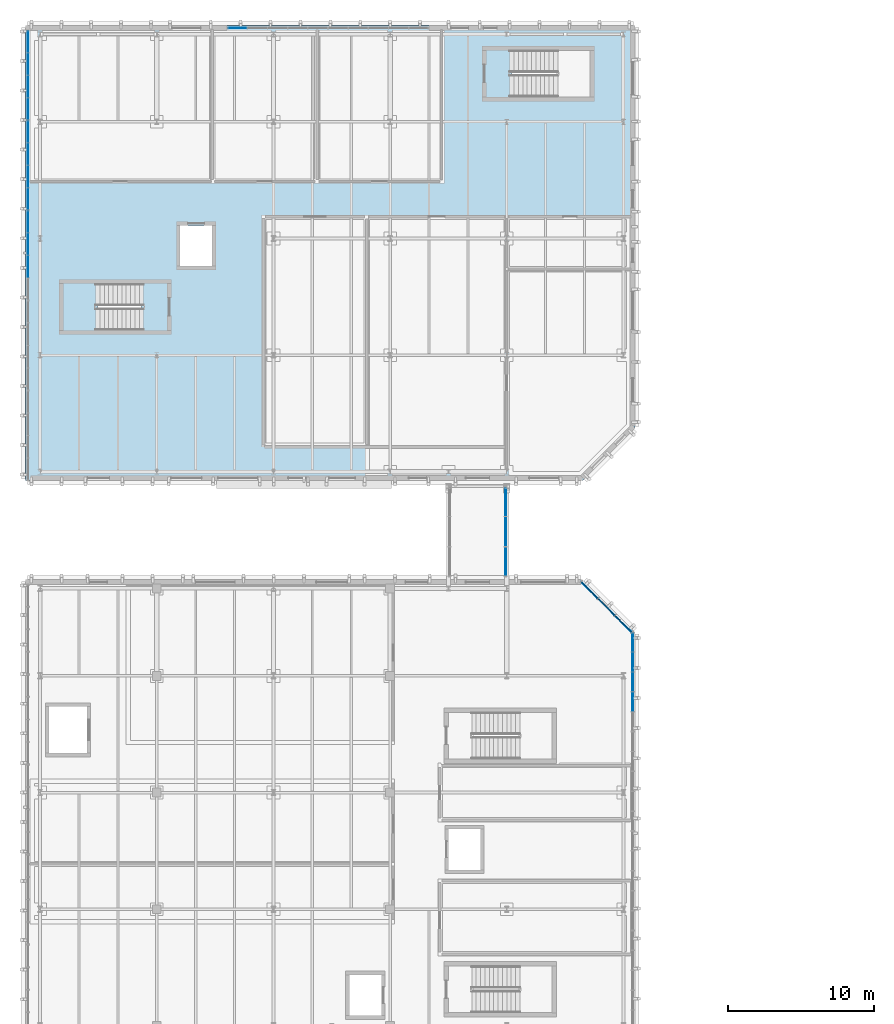
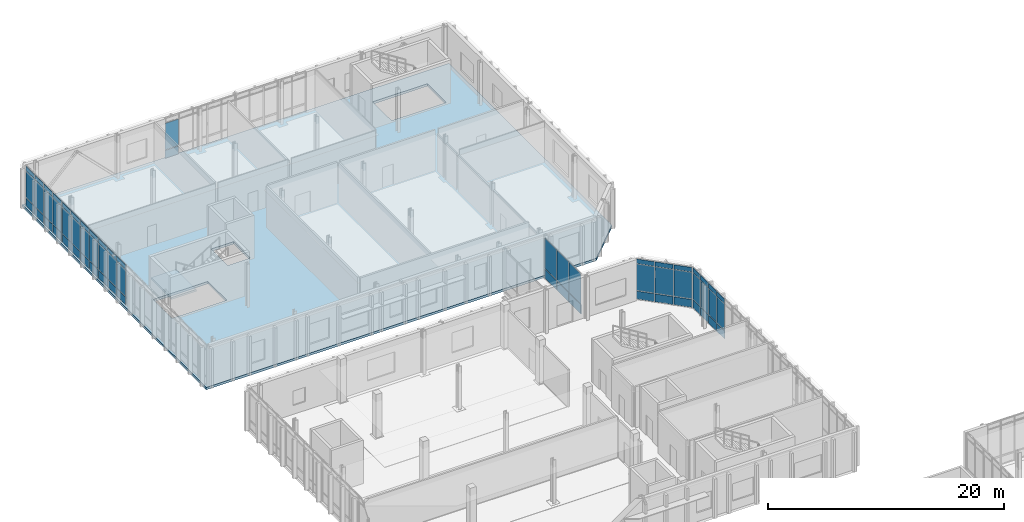
# One storey, part 51 of 86: 62 plates, 2 slabs, 8 elements without a shape of their own.
"""IFC4 building model written with IfcOpenShell, lengths in metres."""

from ifc_helpers import new_model, si_unit, direction, frame, origin, origin_2d, place, context, subcontext, project, spatial, polyline, rectangle, outline, extrude, material, layer, layer_set, type_object, element, aggregate, save


model = new_model("IFC4")

# Units and contexts
model_context = context("Model", 3, precision=1e-05, world=origin(), true_north=direction((0.0, 1.0)))
body_context = subcontext(model_context, "Body", "Model", "MODEL_VIEW")
ifc_project = project(units=[si_unit("LENGTHUNIT", "METRE"), si_unit("AREAUNIT", "SQUARE_METRE"), si_unit("VOLUMEUNIT", "CUBIC_METRE"), si_unit("PLANEANGLEUNIT", "RADIAN"), si_unit("MASSUNIT", "GRAM", prefix="KILO")], contexts=[model_context])

# Site, building, storey
site_placement = place(None, origin())
site = spatial("IfcSite", under=ifc_project, at=site_placement, CompositionType="ELEMENT")
building_placement = place(site_placement, origin())
building = spatial("IfcBuilding", under=site, at=building_placement, Name="Cymarion Research Institute", CompositionType="ELEMENT")
storey_placement = place(building_placement, frame((0.0, 0.0, 13.800048828125)))
storey = spatial("IfcBuildingStorey", under=building, at=storey_placement, Name="L03", CompositionType="ELEMENT", Elevation=13.800048828125)

# Slab
ifc_material_1 = material(Name="Concrete C35/45", Category="concrete")
ifc_layer_1 = layer(ifc_material_1, 0.25)
ifc_layer_set_1 = layer_set([ifc_layer_1], Name="Concrete C35/45")
slab_type_1 = type_object("IfcSlabType", Name="COMPOSITE FLOOR SLAB SL-FL250 250MM", PredefinedType="FLOOR", material=ifc_layer_set_1)
slab_1_placement = place(storey_placement, frame((0.0, 0.0, -0.25)))
element("IfcSlab", 1, at=slab_1_placement, inside=storey, type_object=slab_type_1, Name="L03 V5 floor slab", PredefinedType="FLOOR", context=body_context, shape_type="SweptSolid", body=[
    extrude(outline(polyline([(5.60009765625, 84.89990234375), (43.800048828125, 84.89990234375), (47.39990234375, 88.5), (47.39990234375, 116.10009765625), (5.60009765625, 116.10009765625), (5.60009765625, 84.89990234375)]), holes=[polyline([(13.56005859375, 98.39990234375), (8.199951171875, 98.39990234375), (8.199951171875, 95.199951171875), (13.56005859375, 95.199951171875), (13.56005859375, 98.39990234375)]), polyline([(16.199951171875, 99.60009765625), (18.39990234375, 99.60009765625), (18.39990234375, 102.39990234375), (16.199951171875, 102.39990234375), (16.199951171875, 99.60009765625)]), polyline([(38.93994140625, 111.199951171875), (44.300048828125, 111.199951171875), (44.300048828125, 114.39990234375), (38.93994140625, 114.39990234375), (38.93994140625, 111.199951171875)])]), origin(), (0.0, 0.0, 1.0), 0.25),
])

# Curtain wall, plates
ifc_material_2 = material(Name="Anodised aluminium unitised curtain wall with Low-E glazing", Category="aluminium")
curtain_wall_type_1 = type_object("IfcCurtainWallType", Name="UNITISED CURTAIN WALL CW20 6820X4250", PredefinedType="NOTDEFINED", material=ifc_material_2)
curtain_wall_1_placement = place(storey_placement, origin())
curtain_wall_1 = element("IfcCurtainWall", 2, at=curtain_wall_1_placement, inside=storey, type_object=curtain_wall_type_1, Name="L03 V4 unitised curtain wall CW20 #155", PredefinedType="NOTDEFINED")
ifc_material_3 = material(Name="Insulated anodised aluminium spandrel panel", Category="aluminium")
ifc_layer_2 = layer(ifc_material_3, 0.06005859375)
ifc_layer_set_2 = layer_set([ifc_layer_2], Name="Insulated anodised aluminium spandrel panel")
plate_type_1 = type_object("IfcPlateType", Name="INSULATED ALUMINIUM SPANDREL PANEL SP01 60MM", PredefinedType="SHEET", material=ifc_layer_set_2)
plate_1_placement = place(storey_placement, frame((47.22998046875, 69.726318359375, 0.059814453125), z_axis=(0.0, 0.0, 1.0), x_axis=(0.0, 1.0, 0.0)))
plate_1 = element("IfcPlate", 3, at=plate_1_placement, type_object=plate_type_1, Name="CW20 panel 2.1", PredefinedType="SHEET", context=body_context, shape_type="SweptSolid", body=[
    extrude(rectangle(XDim=1.303955078125, YDim=0.06005859375, at=origin_2d()), origin(), (0.0, 0.0, 1.0), 0.81005859375),
])
plate_2_placement = place(storey_placement, frame((47.22998046875, 69.726318359375, 3.72998046875), z_axis=(0.0, 0.0, 1.0), x_axis=(0.0, 1.0, 0.0)))
plate_2 = element("IfcPlate", 4, at=plate_2_placement, type_object=plate_type_1, Name="CW20 panel 2.3", PredefinedType="SHEET", context=body_context, shape_type="SweptSolid", body=[
    extrude(rectangle(XDim=1.303955078125, YDim=0.06005859375, at=origin_2d()), origin(), (0.0, 0.0, 1.0), 0.4599609375),
])
plate_3_placement = place(storey_placement, frame((47.22998046875, 71.09033203125, 0.059814453125), z_axis=(0.0, 0.0, 1.0), x_axis=(0.0, 1.0, 0.0)))
plate_3 = element("IfcPlate", 5, at=plate_3_placement, type_object=plate_type_1, Name="CW20 panel 3.1", PredefinedType="SHEET", context=body_context, shape_type="SweptSolid", body=[
    extrude(rectangle(XDim=1.303955078125, YDim=0.06005859375, at=origin_2d()), origin(), (0.0, 0.0, 1.0), 0.81005859375),
])
plate_4_placement = place(storey_placement, frame((47.22998046875, 71.09033203125, 3.72998046875), z_axis=(0.0, 0.0, 1.0), x_axis=(0.0, 1.0, 0.0)))
plate_4 = element("IfcPlate", 6, at=plate_4_placement, type_object=plate_type_1, Name="CW20 panel 3.3", PredefinedType="SHEET", context=body_context, shape_type="SweptSolid", body=[
    extrude(rectangle(XDim=1.303955078125, YDim=0.06005859375, at=origin_2d()), origin(), (0.0, 0.0, 1.0), 0.4599609375),
])
plate_5_placement = place(storey_placement, frame((47.22998046875, 72.4541015625, 0.059814453125), z_axis=(0.0, 0.0, 1.0), x_axis=(0.0, 1.0, 0.0)))
plate_5 = element("IfcPlate", 7, at=plate_5_placement, type_object=plate_type_1, Name="CW20 panel 4.1", PredefinedType="SHEET", context=body_context, shape_type="SweptSolid", body=[
    extrude(rectangle(XDim=1.303955078125, YDim=0.06005859375, at=origin_2d()), origin(), (0.0, 0.0, 1.0), 0.81005859375),
])
plate_6_placement = place(storey_placement, frame((47.22998046875, 72.4541015625, 3.72998046875), z_axis=(0.0, 0.0, 1.0), x_axis=(0.0, 1.0, 0.0)))
plate_6 = element("IfcPlate", 8, at=plate_6_placement, type_object=plate_type_1, Name="CW20 panel 4.3", PredefinedType="SHEET", context=body_context, shape_type="SweptSolid", body=[
    extrude(rectangle(XDim=1.303955078125, YDim=0.06005859375, at=origin_2d()), origin(), (0.0, 0.0, 1.0), 0.4599609375),
])
plate_7_placement = place(storey_placement, frame((47.22998046875, 73.802978515625, 0.059814453125), z_axis=(0.0, 0.0, 1.0), x_axis=(0.0, 1.0, 0.0)))
plate_7 = element("IfcPlate", 9, at=plate_7_placement, type_object=plate_type_1, Name="CW20 panel 5.1", PredefinedType="SHEET", context=body_context, shape_type="SweptSolid", body=[
    extrude(rectangle(XDim=1.27392578125, YDim=0.06005859375, at=origin_2d()), origin(), (0.0, 0.0, 1.0), 0.81005859375),
])
plate_8_placement = place(storey_placement, frame((47.22998046875, 73.802978515625, 3.72998046875), z_axis=(0.0, 0.0, 1.0), x_axis=(0.0, 1.0, 0.0)))
plate_8 = element("IfcPlate", 10, at=plate_8_placement, type_object=plate_type_1, Name="CW20 panel 5.3", PredefinedType="SHEET", context=body_context, shape_type="SweptSolid", body=[
    extrude(rectangle(XDim=1.27392578125, YDim=0.06005859375, at=origin_2d()), origin(), (0.0, 0.0, 1.0), 0.4599609375),
])

curtain_wall_type_2 = type_object("IfcCurtainWallType", Name="UNITISED CURTAIN WALL CW21 4970X4250", PredefinedType="NOTDEFINED", material=ifc_material_2)
curtain_wall_2_placement = place(storey_placement, origin())
curtain_wall_2 = element("IfcCurtainWall", 11, at=curtain_wall_2_placement, inside=storey, type_object=curtain_wall_type_2, Name="L03 V4 unitised curtain wall CW21 #156", PredefinedType="NOTDEFINED")
plate_9_placement = place(storey_placement, frame((46.5966796875, 75.062744140625, 0.059814453125), z_axis=(0.0, 0.0, 1.0), x_axis=(-0.707096717405, 0.707116844825, 0.0)))
plate_9 = element("IfcPlate", 12, at=plate_9_placement, type_object=plate_type_1, Name="CW21 panel 1.1", PredefinedType="SHEET", context=body_context, shape_type="SweptSolid", body=[
    extrude(rectangle(XDim=1.566162109375, YDim=0.06005859375, at=origin_2d()), origin(), (0.0, 0.0, 1.0), 0.81005859375),
])
plate_10_placement = place(storey_placement, frame((46.5966796875, 75.062744140625, 3.72998046875), z_axis=(0.0, 0.0, 1.0), x_axis=(-0.707096717405, 0.707116844825, 0.0)))
plate_10 = element("IfcPlate", 13, at=plate_10_placement, type_object=plate_type_1, Name="CW21 panel 1.3", PredefinedType="SHEET", context=body_context, shape_type="SweptSolid", body=[
    extrude(rectangle(XDim=1.566162109375, YDim=0.06005859375, at=origin_2d()), origin(), (0.0, 0.0, 1.0), 0.4599609375),
])
plate_11_placement = place(storey_placement, frame((45.436279296875, 76.22314453125, 0.059814453125), z_axis=(0.0, 0.0, 1.0), x_axis=(-0.707096717405, 0.707116844825, 0.0)))
plate_11 = element("IfcPlate", 14, at=plate_11_placement, type_object=plate_type_1, Name="CW21 panel 2.1", PredefinedType="SHEET", context=body_context, shape_type="SweptSolid", body=[
    extrude(rectangle(XDim=1.59619140625, YDim=0.06005859375, at=origin_2d()), origin(), (0.0, 0.0, 1.0), 0.81005859375),
])
plate_12_placement = place(storey_placement, frame((45.436279296875, 76.22314453125, 3.72998046875), z_axis=(0.0, 0.0, 1.0), x_axis=(-0.707096717405, 0.707116844825, 0.0)))
plate_12 = element("IfcPlate", 15, at=plate_12_placement, type_object=plate_type_1, Name="CW21 panel 2.3", PredefinedType="SHEET", context=body_context, shape_type="SweptSolid", body=[
    extrude(rectangle(XDim=1.59619140625, YDim=0.06005859375, at=origin_2d()), origin(), (0.0, 0.0, 1.0), 0.4599609375),
])
plate_13_placement = place(storey_placement, frame((44.27587890625, 77.383544921875, 0.059814453125), z_axis=(0.0, 0.0, 1.0), x_axis=(-0.707096717405, 0.707116844825, 0.0)))
plate_13 = element("IfcPlate", 16, at=plate_13_placement, type_object=plate_type_1, Name="CW21 panel 3.1", PredefinedType="SHEET", context=body_context, shape_type="SweptSolid", body=[
    extrude(rectangle(XDim=1.566162109375, YDim=0.06005859375, at=origin_2d()), origin(), (0.0, 0.0, 1.0), 0.81005859375),
])
plate_14_placement = place(storey_placement, frame((44.27587890625, 77.383544921875, 3.72998046875), z_axis=(0.0, 0.0, 1.0), x_axis=(-0.707096717405, 0.707116844825, 0.0)))
plate_14 = element("IfcPlate", 17, at=plate_14_placement, type_object=plate_type_1, Name="CW21 panel 3.3", PredefinedType="SHEET", context=body_context, shape_type="SweptSolid", body=[
    extrude(rectangle(XDim=1.566162109375, YDim=0.06005859375, at=origin_2d()), origin(), (0.0, 0.0, 1.0), 0.4599609375),
])

# Curtain wall, plate
curtain_wall_type_3 = type_object("IfcCurtainWallType", Name="UNITISED CURTAIN WALL CW23 6910X4250", PredefinedType="NOTDEFINED", material=ifc_material_2)
curtain_wall_3_placement = place(storey_placement, origin())
curtain_wall_3 = element("IfcCurtainWall", 18, at=curtain_wall_3_placement, inside=storey, type_object=curtain_wall_type_3, Name="L03 V5 unitised curtain wall CW23 #163", PredefinedType="NOTDEFINED")
plate_15_placement = place(storey_placement, frame((20.13232421875, 115.929931640625, 0.059814453125), z_axis=(0.0, 0.0, 1.0), x_axis=(-1.0, 0.0, 0.0)))
plate_15 = element("IfcPlate", 19, at=plate_15_placement, type_object=plate_type_1, Name="CW23 panel 5.1", PredefinedType="SHEET", context=body_context, shape_type="SweptSolid", body=[
    extrude(rectangle(XDim=1.29248046875, YDim=0.06005859375, at=origin_2d()), origin(), (0.0, 0.0, 1.0), 0.81005859375),
])

# Curtain wall, plates
curtain_wall_type_4 = type_object("IfcCurtainWallType", Name="UNITISED CURTAIN WALL CW22 6180X4250", PredefinedType="NOTDEFINED", material=ifc_material_2)
curtain_wall_4_placement = place(storey_placement, origin())
curtain_wall_4 = element("IfcCurtainWall", 20, at=curtain_wall_4_placement, inside=storey, type_object=curtain_wall_type_4, Name="L03 V5 unitised curtain wall CW22 #164", PredefinedType="NOTDEFINED")
plate_16_placement = place(storey_placement, frame((5.77001953125, 114.990966796875, 0.059814453125), z_axis=(0.0, 0.0, 1.0), x_axis=(0.0, -1.0, 0.0)))
plate_16 = element("IfcPlate", 21, at=plate_16_placement, type_object=plate_type_1, Name="CW22 panel 1.1", PredefinedType="SHEET", context=body_context, shape_type="SweptSolid", body=[
    extrude(rectangle(XDim=1.453857421875, YDim=0.06005859375, at=origin_2d()), origin(), (0.0, 0.0, 1.0), 0.81005859375),
])
plate_17_placement = place(storey_placement, frame((5.77001953125, 114.990966796875, 3.72998046875), z_axis=(0.0, 0.0, 1.0), x_axis=(0.0, -1.0, 0.0)))
plate_17 = element("IfcPlate", 22, at=plate_17_placement, type_object=plate_type_1, Name="CW22 panel 1.3", PredefinedType="SHEET", context=body_context, shape_type="SweptSolid", body=[
    extrude(rectangle(XDim=1.453857421875, YDim=0.06005859375, at=origin_2d()), origin(), (0.0, 0.0, 1.0), 0.4599609375),
])
plate_18_placement = place(storey_placement, frame((5.77001953125, 113.462158203125, 0.059814453125), z_axis=(0.0, 0.0, 1.0), x_axis=(0.0, -1.0, 0.0)))
plate_18 = element("IfcPlate", 23, at=plate_18_placement, type_object=plate_type_1, Name="CW22 panel 2.1", PredefinedType="SHEET", context=body_context, shape_type="SweptSolid", body=[
    extrude(rectangle(XDim=1.48388671875, YDim=0.06005859375, at=origin_2d()), origin(), (0.0, 0.0, 1.0), 0.81005859375),
])
plate_19_placement = place(storey_placement, frame((5.77001953125, 113.462158203125, 3.72998046875), z_axis=(0.0, 0.0, 1.0), x_axis=(0.0, -1.0, 0.0)))
plate_19 = element("IfcPlate", 24, at=plate_19_placement, type_object=plate_type_1, Name="CW22 panel 2.3", PredefinedType="SHEET", context=body_context, shape_type="SweptSolid", body=[
    extrude(rectangle(XDim=1.48388671875, YDim=0.06005859375, at=origin_2d()), origin(), (0.0, 0.0, 1.0), 0.4599609375),
])
plate_20_placement = place(storey_placement, frame((5.77001953125, 111.918212890625, 0.059814453125), z_axis=(0.0, 0.0, 1.0), x_axis=(0.0, -1.0, 0.0)))
plate_20 = element("IfcPlate", 25, at=plate_20_placement, type_object=plate_type_1, Name="CW22 panel 3.1", PredefinedType="SHEET", context=body_context, shape_type="SweptSolid", body=[
    extrude(rectangle(XDim=1.48388671875, YDim=0.06005859375, at=origin_2d()), origin(), (0.0, 0.0, 1.0), 0.81005859375),
])
plate_21_placement = place(storey_placement, frame((5.77001953125, 111.918212890625, 3.72998046875), z_axis=(0.0, 0.0, 1.0), x_axis=(0.0, -1.0, 0.0)))
plate_21 = element("IfcPlate", 26, at=plate_21_placement, type_object=plate_type_1, Name="CW22 panel 3.3", PredefinedType="SHEET", context=body_context, shape_type="SweptSolid", body=[
    extrude(rectangle(XDim=1.48388671875, YDim=0.06005859375, at=origin_2d()), origin(), (0.0, 0.0, 1.0), 0.4599609375),
])
plate_22_placement = place(storey_placement, frame((5.77001953125, 110.389404296875, 0.059814453125), z_axis=(0.0, 0.0, 1.0), x_axis=(0.0, -1.0, 0.0)))
plate_22 = element("IfcPlate", 27, at=plate_22_placement, type_object=plate_type_1, Name="CW22 panel 4.1", PredefinedType="SHEET", context=body_context, shape_type="SweptSolid", body=[
    extrude(rectangle(XDim=1.453857421875, YDim=0.06005859375, at=origin_2d()), origin(), (0.0, 0.0, 1.0), 0.81005859375),
])
plate_23_placement = place(storey_placement, frame((5.77001953125, 110.389404296875, 3.72998046875), z_axis=(0.0, 0.0, 1.0), x_axis=(0.0, -1.0, 0.0)))
plate_23 = element("IfcPlate", 28, at=plate_23_placement, type_object=plate_type_1, Name="CW22 panel 4.3", PredefinedType="SHEET", context=body_context, shape_type="SweptSolid", body=[
    extrude(rectangle(XDim=1.453857421875, YDim=0.06005859375, at=origin_2d()), origin(), (0.0, 0.0, 1.0), 0.4599609375),
])

curtain_wall_5_placement = place(storey_placement, origin())
curtain_wall_5 = element("IfcCurtainWall", 29, at=curtain_wall_5_placement, inside=storey, type_object=curtain_wall_type_4, Name="L03 V5 unitised curtain wall CW22 #165", PredefinedType="NOTDEFINED")
plate_24_placement = place(storey_placement, frame((5.77001953125, 108.8154296875, 0.059814453125), z_axis=(0.0, 0.0, 1.0), x_axis=(0.0, -1.0, 0.0)))
plate_24 = element("IfcPlate", 30, at=plate_24_placement, type_object=plate_type_1, Name="CW22 panel 1.1", PredefinedType="SHEET", context=body_context, shape_type="SweptSolid", body=[
    extrude(rectangle(XDim=1.453857421875, YDim=0.06005859375, at=origin_2d()), origin(), (0.0, 0.0, 1.0), 0.81005859375),
])
plate_25_placement = place(storey_placement, frame((5.77001953125, 108.8154296875, 3.72998046875), z_axis=(0.0, 0.0, 1.0), x_axis=(0.0, -1.0, 0.0)))
plate_25 = element("IfcPlate", 31, at=plate_25_placement, type_object=plate_type_1, Name="CW22 panel 1.3", PredefinedType="SHEET", context=body_context, shape_type="SweptSolid", body=[
    extrude(rectangle(XDim=1.453857421875, YDim=0.06005859375, at=origin_2d()), origin(), (0.0, 0.0, 1.0), 0.4599609375),
])
plate_26_placement = place(storey_placement, frame((5.77001953125, 107.28662109375, 0.059814453125), z_axis=(0.0, 0.0, 1.0), x_axis=(0.0, -1.0, 0.0)))
plate_26 = element("IfcPlate", 32, at=plate_26_placement, type_object=plate_type_1, Name="CW22 panel 2.1", PredefinedType="SHEET", context=body_context, shape_type="SweptSolid", body=[
    extrude(rectangle(XDim=1.48388671875, YDim=0.06005859375, at=origin_2d()), origin(), (0.0, 0.0, 1.0), 0.81005859375),
])
plate_27_placement = place(storey_placement, frame((5.77001953125, 107.28662109375, 3.72998046875), z_axis=(0.0, 0.0, 1.0), x_axis=(0.0, -1.0, 0.0)))
plate_27 = element("IfcPlate", 33, at=plate_27_placement, type_object=plate_type_1, Name="CW22 panel 2.3", PredefinedType="SHEET", context=body_context, shape_type="SweptSolid", body=[
    extrude(rectangle(XDim=1.48388671875, YDim=0.06005859375, at=origin_2d()), origin(), (0.0, 0.0, 1.0), 0.4599609375),
])
plate_28_placement = place(storey_placement, frame((5.77001953125, 105.74267578125, 0.059814453125), z_axis=(0.0, 0.0, 1.0), x_axis=(0.0, -1.0, 0.0)))
plate_28 = element("IfcPlate", 34, at=plate_28_placement, type_object=plate_type_1, Name="CW22 panel 3.1", PredefinedType="SHEET", context=body_context, shape_type="SweptSolid", body=[
    extrude(rectangle(XDim=1.48388671875, YDim=0.06005859375, at=origin_2d()), origin(), (0.0, 0.0, 1.0), 0.81005859375),
])
plate_29_placement = place(storey_placement, frame((5.77001953125, 105.74267578125, 3.72998046875), z_axis=(0.0, 0.0, 1.0), x_axis=(0.0, -1.0, 0.0)))
plate_29 = element("IfcPlate", 35, at=plate_29_placement, type_object=plate_type_1, Name="CW22 panel 3.3", PredefinedType="SHEET", context=body_context, shape_type="SweptSolid", body=[
    extrude(rectangle(XDim=1.48388671875, YDim=0.06005859375, at=origin_2d()), origin(), (0.0, 0.0, 1.0), 0.4599609375),
])
plate_30_placement = place(storey_placement, frame((5.77001953125, 104.2138671875, 0.059814453125), z_axis=(0.0, 0.0, 1.0), x_axis=(0.0, -1.0, 0.0)))
plate_30 = element("IfcPlate", 36, at=plate_30_placement, type_object=plate_type_1, Name="CW22 panel 4.1", PredefinedType="SHEET", context=body_context, shape_type="SweptSolid", body=[
    extrude(rectangle(XDim=1.453857421875, YDim=0.06005859375, at=origin_2d()), origin(), (0.0, 0.0, 1.0), 0.81005859375),
])
plate_31_placement = place(storey_placement, frame((5.77001953125, 104.2138671875, 3.72998046875), z_axis=(0.0, 0.0, 1.0), x_axis=(0.0, -1.0, 0.0)))
plate_31 = element("IfcPlate", 37, at=plate_31_placement, type_object=plate_type_1, Name="CW22 panel 4.3", PredefinedType="SHEET", context=body_context, shape_type="SweptSolid", body=[
    extrude(rectangle(XDim=1.453857421875, YDim=0.06005859375, at=origin_2d()), origin(), (0.0, 0.0, 1.0), 0.4599609375),
])

curtain_wall_6_placement = place(storey_placement, origin())
curtain_wall_6 = element("IfcCurtainWall", 38, at=curtain_wall_6_placement, inside=storey, type_object=curtain_wall_type_4, Name="L03 V5 unitised curtain wall CW22 #166", PredefinedType="NOTDEFINED")
plate_32_placement = place(storey_placement, frame((5.77001953125, 102.639892578125, 0.059814453125), z_axis=(0.0, 0.0, 1.0), x_axis=(0.0, -1.0, 0.0)))
plate_32 = element("IfcPlate", 39, at=plate_32_placement, type_object=plate_type_1, Name="CW22 panel 1.1", PredefinedType="SHEET", context=body_context, shape_type="SweptSolid", body=[
    extrude(rectangle(XDim=1.453857421875, YDim=0.06005859375, at=origin_2d()), origin(), (0.0, 0.0, 1.0), 0.81005859375),
])
plate_33_placement = place(storey_placement, frame((5.77001953125, 102.639892578125, 3.72998046875), z_axis=(0.0, 0.0, 1.0), x_axis=(0.0, -1.0, 0.0)))
plate_33 = element("IfcPlate", 40, at=plate_33_placement, type_object=plate_type_1, Name="CW22 panel 1.3", PredefinedType="SHEET", context=body_context, shape_type="SweptSolid", body=[
    extrude(rectangle(XDim=1.453857421875, YDim=0.06005859375, at=origin_2d()), origin(), (0.0, 0.0, 1.0), 0.4599609375),
])
plate_34_placement = place(storey_placement, frame((5.77001953125, 101.11083984375, 0.059814453125), z_axis=(0.0, 0.0, 1.0), x_axis=(0.0, -1.0, 0.0)))
plate_34 = element("IfcPlate", 41, at=plate_34_placement, type_object=plate_type_1, Name="CW22 panel 2.1", PredefinedType="SHEET", context=body_context, shape_type="SweptSolid", body=[
    extrude(rectangle(XDim=1.48388671875, YDim=0.06005859375, at=origin_2d()), origin(), (0.0, 0.0, 1.0), 0.81005859375),
])
plate_35_placement = place(storey_placement, frame((5.77001953125, 101.11083984375, 3.72998046875), z_axis=(0.0, 0.0, 1.0), x_axis=(0.0, -1.0, 0.0)))
plate_35 = element("IfcPlate", 42, at=plate_35_placement, type_object=plate_type_1, Name="CW22 panel 2.3", PredefinedType="SHEET", context=body_context, shape_type="SweptSolid", body=[
    extrude(rectangle(XDim=1.48388671875, YDim=0.06005859375, at=origin_2d()), origin(), (0.0, 0.0, 1.0), 0.4599609375),
])
plate_36_placement = place(storey_placement, frame((5.77001953125, 99.567138671875, 0.059814453125), z_axis=(0.0, 0.0, 1.0), x_axis=(0.0, -1.0, 0.0)))
plate_36 = element("IfcPlate", 43, at=plate_36_placement, type_object=plate_type_1, Name="CW22 panel 3.1", PredefinedType="SHEET", context=body_context, shape_type="SweptSolid", body=[
    extrude(rectangle(XDim=1.48388671875, YDim=0.06005859375, at=origin_2d()), origin(), (0.0, 0.0, 1.0), 0.81005859375),
])
plate_37_placement = place(storey_placement, frame((5.77001953125, 99.567138671875, 3.72998046875), z_axis=(0.0, 0.0, 1.0), x_axis=(0.0, -1.0, 0.0)))
plate_37 = element("IfcPlate", 44, at=plate_37_placement, type_object=plate_type_1, Name="CW22 panel 3.3", PredefinedType="SHEET", context=body_context, shape_type="SweptSolid", body=[
    extrude(rectangle(XDim=1.48388671875, YDim=0.06005859375, at=origin_2d()), origin(), (0.0, 0.0, 1.0), 0.4599609375),
])

curtain_wall_type_5 = type_object("IfcCurtainWallType", Name="UNITISED CURTAIN WALL CW25 6200X4260", PredefinedType="NOTDEFINED", material=ifc_material_2)
curtain_wall_7_placement = place(storey_placement, origin())
curtain_wall_7 = element("IfcCurtainWall", 45, at=curtain_wall_7_placement, inside=storey, type_object=curtain_wall_type_5, Name="L03 SP2 sky-passage glazed wall 2", PredefinedType="NOTDEFINED")
plate_38_placement = place(storey_placement, frame((38.52001953125, 79.348388671875, 0.06005859375), z_axis=(0.0, 0.0, 1.0), x_axis=(0.0, 1.0, 0.0)))
plate_38 = element("IfcPlate", 46, at=plate_38_placement, type_object=plate_type_1, Name="CW25 panel 1.1", PredefinedType="SHEET", context=body_context, shape_type="SweptSolid", body=[
    extrude(rectangle(XDim=1.9765625, YDim=0.06005859375, at=origin_2d()), origin(), (0.0, 0.0, 1.0), 0.9599609375),
])
plate_39_placement = place(storey_placement, frame((38.52001953125, 81.39990234375, 0.06005859375), z_axis=(0.0, 0.0, 1.0), x_axis=(0.0, 1.0, 0.0)))
plate_39 = element("IfcPlate", 47, at=plate_39_placement, type_object=plate_type_1, Name="CW25 panel 2.1", PredefinedType="SHEET", context=body_context, shape_type="SweptSolid", body=[
    extrude(rectangle(XDim=2.006591796875, YDim=0.06005859375, at=origin_2d()), origin(), (0.0, 0.0, 1.0), 0.9599609375),
])
plate_40_placement = place(storey_placement, frame((38.52001953125, 83.45166015625, 0.06005859375), z_axis=(0.0, 0.0, 1.0), x_axis=(0.0, 1.0, 0.0)))
plate_40 = element("IfcPlate", 48, at=plate_40_placement, type_object=plate_type_1, Name="CW25 panel 3.1", PredefinedType="SHEET", context=body_context, shape_type="SweptSolid", body=[
    extrude(rectangle(XDim=1.9765625, YDim=0.06005859375, at=origin_2d()), origin(), (0.0, 0.0, 1.0), 0.9599609375),
])

# Stair, slab
stair_type = type_object("IfcStairType", Name="REINFORCED CONCRETE DOGLEG STAIR STR-4500", PredefinedType="HALF_TURN_STAIR", material=ifc_material_1)
stair_placement = place(storey_placement, origin())
stair = element("IfcStair", 49, at=stair_placement, inside=storey, type_object=stair_type, Name="L03 Core C9 Smoke-Proof Exit Stair ST9", PredefinedType="HALF_TURN_STAIR")
ifc_layer_3 = layer(ifc_material_1, 0.199951171875)
ifc_layer_set_3 = layer_set([ifc_layer_3], Name="Concrete C35/45")
slab_type_2 = type_object("IfcSlabType", Name="REINFORCED CONCRETE STAIR LANDING LDG200", PredefinedType="LANDING", material=ifc_layer_set_3)
slab_2_placement = place(storey_placement, frame((0.0, 0.0, 2.050048828125)))
slab_2 = element("IfcSlab", 50, at=slab_2_placement, type_object=slab_type_2, Name="ST9 landing 1", PredefinedType="LANDING", context=body_context, shape_type="SweptSolid", body=[
    extrude(outline(polyline([(10.52001953125, 98.52001953125), (10.52001953125, 95.080078125), (8.080078125, 95.080078125), (8.080078125, 98.52001953125), (10.52001953125, 98.52001953125)])), origin(), (0.0, 0.0, 1.0), 0.199951171875),
])
aggregate(stair, [slab_2])

# Plate
ifc_material_4 = material(Name="Low-E double solar-control glazing", Category="glass")
ifc_layer_4 = layer(ifc_material_4, 0.035888671875)
ifc_layer_set_4 = layer_set([ifc_layer_4], Name="Low-E double solar-control glazing")
plate_type_2 = type_object("IfcPlateType", Name="SOLAR CONTROL GLAZED VISION PANEL GP01 36MM", PredefinedType="CURTAIN_PANEL", material=ifc_layer_set_4)
plate_41_placement = place(storey_placement, frame((47.22998046875, 69.726318359375, 0.93017578125), z_axis=(0.0, 0.0, 1.0), x_axis=(0.0, 1.0, 0.0)))
plate_41 = element("IfcPlate", 51, at=plate_41_placement, type_object=plate_type_2, Name="CW20 panel 2.2", PredefinedType="CURTAIN_PANEL", context=body_context, shape_type="SweptSolid", body=[
    extrude(rectangle(XDim=1.303955078125, YDim=0.035888671875, at=origin_2d()), origin(), (0.0, 0.0, 1.0), 2.739990234375),
])

plate_42_placement = place(storey_placement, frame((47.22998046875, 71.09033203125, 0.93017578125), z_axis=(0.0, 0.0, 1.0), x_axis=(0.0, 1.0, 0.0)))
plate_42 = element("IfcPlate", 52, at=plate_42_placement, type_object=plate_type_2, Name="CW20 panel 3.2", PredefinedType="CURTAIN_PANEL", context=body_context, shape_type="SweptSolid", body=[
    extrude(rectangle(XDim=1.303955078125, YDim=0.035888671875, at=origin_2d()), origin(), (0.0, 0.0, 1.0), 2.739990234375),
])

plate_43_placement = place(storey_placement, frame((47.22998046875, 72.4541015625, 0.93017578125), z_axis=(0.0, 0.0, 1.0), x_axis=(0.0, 1.0, 0.0)))
plate_43 = element("IfcPlate", 53, at=plate_43_placement, type_object=plate_type_2, Name="CW20 panel 4.2", PredefinedType="CURTAIN_PANEL", context=body_context, shape_type="SweptSolid", body=[
    extrude(rectangle(XDim=1.303955078125, YDim=0.035888671875, at=origin_2d()), origin(), (0.0, 0.0, 1.0), 2.739990234375),
])

plate_44_placement = place(storey_placement, frame((47.22998046875, 73.802978515625, 0.93017578125), z_axis=(0.0, 0.0, 1.0), x_axis=(0.0, 1.0, 0.0)))
plate_44 = element("IfcPlate", 54, at=plate_44_placement, type_object=plate_type_2, Name="CW20 panel 5.2", PredefinedType="CURTAIN_PANEL", context=body_context, shape_type="SweptSolid", body=[
    extrude(rectangle(XDim=1.27392578125, YDim=0.035888671875, at=origin_2d()), origin(), (0.0, 0.0, 1.0), 2.739990234375),
])

aggregate(curtain_wall_1, [plate_1, plate_41, plate_2, plate_3, plate_42, plate_4, plate_5, plate_43, plate_6, plate_7, plate_44, plate_8])

plate_45_placement = place(storey_placement, frame((46.5966796875, 75.062744140625, 0.93017578125), z_axis=(0.0, 0.0, 1.0), x_axis=(-0.707096717405, 0.707116844825, 0.0)))
plate_45 = element("IfcPlate", 55, at=plate_45_placement, type_object=plate_type_2, Name="CW21 panel 1.2", PredefinedType="CURTAIN_PANEL", context=body_context, shape_type="SweptSolid", body=[
    extrude(rectangle(XDim=1.566162109375, YDim=0.035888671875, at=origin_2d()), origin(), (0.0, 0.0, 1.0), 2.739990234375),
])

plate_46_placement = place(storey_placement, frame((45.436279296875, 76.22314453125, 0.93017578125), z_axis=(0.0, 0.0, 1.0), x_axis=(-0.707096717405, 0.707116844825, 0.0)))
plate_46 = element("IfcPlate", 56, at=plate_46_placement, type_object=plate_type_2, Name="CW21 panel 2.2", PredefinedType="CURTAIN_PANEL", context=body_context, shape_type="SweptSolid", body=[
    extrude(rectangle(XDim=1.59619140625, YDim=0.035888671875, at=origin_2d()), origin(), (0.0, 0.0, 1.0), 2.739990234375),
])

plate_47_placement = place(storey_placement, frame((44.27587890625, 77.383544921875, 0.93017578125), z_axis=(0.0, 0.0, 1.0), x_axis=(-0.707096717405, 0.707116844825, 0.0)))
plate_47 = element("IfcPlate", 57, at=plate_47_placement, type_object=plate_type_2, Name="CW21 panel 3.2", PredefinedType="CURTAIN_PANEL", context=body_context, shape_type="SweptSolid", body=[
    extrude(rectangle(XDim=1.566162109375, YDim=0.035888671875, at=origin_2d()), origin(), (0.0, 0.0, 1.0), 2.739990234375),
])

aggregate(curtain_wall_2, [plate_9, plate_45, plate_10, plate_11, plate_46, plate_12, plate_13, plate_47, plate_14])

plate_48_placement = place(storey_placement, frame((20.13232421875, 115.929931640625, 0.93017578125), z_axis=(0.0, 0.0, 1.0), x_axis=(-1.0, 0.0, 0.0)))
plate_48 = element("IfcPlate", 58, at=plate_48_placement, type_object=plate_type_2, Name="CW23 panel 5.2", PredefinedType="CURTAIN_PANEL", context=body_context, shape_type="SweptSolid", body=[
    extrude(rectangle(XDim=1.29248046875, YDim=0.035888671875, at=origin_2d()), origin(), (0.0, 0.0, 1.0), 2.739990234375),
])

aggregate(curtain_wall_3, [plate_15, plate_48])

plate_49_placement = place(storey_placement, frame((5.77001953125, 114.990966796875, 0.93017578125), z_axis=(0.0, 0.0, 1.0), x_axis=(0.0, -1.0, 0.0)))
plate_49 = element("IfcPlate", 59, at=plate_49_placement, type_object=plate_type_2, Name="CW22 panel 1.2", PredefinedType="CURTAIN_PANEL", context=body_context, shape_type="SweptSolid", body=[
    extrude(rectangle(XDim=1.453857421875, YDim=0.035888671875, at=origin_2d()), origin(), (0.0, 0.0, 1.0), 2.739990234375),
])

plate_50_placement = place(storey_placement, frame((5.77001953125, 113.462158203125, 0.93017578125), z_axis=(0.0, 0.0, 1.0), x_axis=(0.0, -1.0, 0.0)))
plate_50 = element("IfcPlate", 60, at=plate_50_placement, type_object=plate_type_2, Name="CW22 panel 2.2", PredefinedType="CURTAIN_PANEL", context=body_context, shape_type="SweptSolid", body=[
    extrude(rectangle(XDim=1.48388671875, YDim=0.035888671875, at=origin_2d()), origin(), (0.0, 0.0, 1.0), 2.739990234375),
])

plate_51_placement = place(storey_placement, frame((5.77001953125, 111.918212890625, 0.93017578125), z_axis=(0.0, 0.0, 1.0), x_axis=(0.0, -1.0, 0.0)))
plate_51 = element("IfcPlate", 61, at=plate_51_placement, type_object=plate_type_2, Name="CW22 panel 3.2", PredefinedType="CURTAIN_PANEL", context=body_context, shape_type="SweptSolid", body=[
    extrude(rectangle(XDim=1.48388671875, YDim=0.035888671875, at=origin_2d()), origin(), (0.0, 0.0, 1.0), 2.739990234375),
])

plate_52_placement = place(storey_placement, frame((5.77001953125, 110.389404296875, 0.93017578125), z_axis=(0.0, 0.0, 1.0), x_axis=(0.0, -1.0, 0.0)))
plate_52 = element("IfcPlate", 62, at=plate_52_placement, type_object=plate_type_2, Name="CW22 panel 4.2", PredefinedType="CURTAIN_PANEL", context=body_context, shape_type="SweptSolid", body=[
    extrude(rectangle(XDim=1.453857421875, YDim=0.035888671875, at=origin_2d()), origin(), (0.0, 0.0, 1.0), 2.739990234375),
])

aggregate(curtain_wall_4, [plate_16, plate_49, plate_17, plate_18, plate_50, plate_19, plate_20, plate_51, plate_21, plate_22, plate_52, plate_23])

plate_53_placement = place(storey_placement, frame((5.77001953125, 108.8154296875, 0.93017578125), z_axis=(0.0, 0.0, 1.0), x_axis=(0.0, -1.0, 0.0)))
plate_53 = element("IfcPlate", 63, at=plate_53_placement, type_object=plate_type_2, Name="CW22 panel 1.2", PredefinedType="CURTAIN_PANEL", context=body_context, shape_type="SweptSolid", body=[
    extrude(rectangle(XDim=1.453857421875, YDim=0.035888671875, at=origin_2d()), origin(), (0.0, 0.0, 1.0), 2.739990234375),
])

plate_54_placement = place(storey_placement, frame((5.77001953125, 107.28662109375, 0.93017578125), z_axis=(0.0, 0.0, 1.0), x_axis=(0.0, -1.0, 0.0)))
plate_54 = element("IfcPlate", 64, at=plate_54_placement, type_object=plate_type_2, Name="CW22 panel 2.2", PredefinedType="CURTAIN_PANEL", context=body_context, shape_type="SweptSolid", body=[
    extrude(rectangle(XDim=1.48388671875, YDim=0.035888671875, at=origin_2d()), origin(), (0.0, 0.0, 1.0), 2.739990234375),
])

plate_55_placement = place(storey_placement, frame((5.77001953125, 105.74267578125, 0.93017578125), z_axis=(0.0, 0.0, 1.0), x_axis=(0.0, -1.0, 0.0)))
plate_55 = element("IfcPlate", 65, at=plate_55_placement, type_object=plate_type_2, Name="CW22 panel 3.2", PredefinedType="CURTAIN_PANEL", context=body_context, shape_type="SweptSolid", body=[
    extrude(rectangle(XDim=1.48388671875, YDim=0.035888671875, at=origin_2d()), origin(), (0.0, 0.0, 1.0), 2.739990234375),
])

plate_56_placement = place(storey_placement, frame((5.77001953125, 104.2138671875, 0.93017578125), z_axis=(0.0, 0.0, 1.0), x_axis=(0.0, -1.0, 0.0)))
plate_56 = element("IfcPlate", 66, at=plate_56_placement, type_object=plate_type_2, Name="CW22 panel 4.2", PredefinedType="CURTAIN_PANEL", context=body_context, shape_type="SweptSolid", body=[
    extrude(rectangle(XDim=1.453857421875, YDim=0.035888671875, at=origin_2d()), origin(), (0.0, 0.0, 1.0), 2.739990234375),
])

aggregate(curtain_wall_5, [plate_24, plate_53, plate_25, plate_26, plate_54, plate_27, plate_28, plate_55, plate_29, plate_30, plate_56, plate_31])

plate_57_placement = place(storey_placement, frame((5.77001953125, 102.639892578125, 0.93017578125), z_axis=(0.0, 0.0, 1.0), x_axis=(0.0, -1.0, 0.0)))
plate_57 = element("IfcPlate", 67, at=plate_57_placement, type_object=plate_type_2, Name="CW22 panel 1.2", PredefinedType="CURTAIN_PANEL", context=body_context, shape_type="SweptSolid", body=[
    extrude(rectangle(XDim=1.453857421875, YDim=0.035888671875, at=origin_2d()), origin(), (0.0, 0.0, 1.0), 2.739990234375),
])

plate_58_placement = place(storey_placement, frame((5.77001953125, 101.11083984375, 0.93017578125), z_axis=(0.0, 0.0, 1.0), x_axis=(0.0, -1.0, 0.0)))
plate_58 = element("IfcPlate", 68, at=plate_58_placement, type_object=plate_type_2, Name="CW22 panel 2.2", PredefinedType="CURTAIN_PANEL", context=body_context, shape_type="SweptSolid", body=[
    extrude(rectangle(XDim=1.48388671875, YDim=0.035888671875, at=origin_2d()), origin(), (0.0, 0.0, 1.0), 2.739990234375),
])

plate_59_placement = place(storey_placement, frame((5.77001953125, 99.567138671875, 0.93017578125), z_axis=(0.0, 0.0, 1.0), x_axis=(0.0, -1.0, 0.0)))
plate_59 = element("IfcPlate", 69, at=plate_59_placement, type_object=plate_type_2, Name="CW22 panel 3.2", PredefinedType="CURTAIN_PANEL", context=body_context, shape_type="SweptSolid", body=[
    extrude(rectangle(XDim=1.48388671875, YDim=0.035888671875, at=origin_2d()), origin(), (0.0, 0.0, 1.0), 2.739990234375),
])

aggregate(curtain_wall_6, [plate_32, plate_57, plate_33, plate_34, plate_58, plate_35, plate_36, plate_59, plate_37])

plate_60_placement = place(storey_placement, frame((38.52001953125, 79.348388671875, 1.079833984375), z_axis=(0.0, 0.0, 1.0), x_axis=(0.0, 1.0, 0.0)))
plate_60 = element("IfcPlate", 70, at=plate_60_placement, type_object=plate_type_2, Name="CW25 panel 1.2", PredefinedType="CURTAIN_PANEL", context=body_context, shape_type="SweptSolid", body=[
    extrude(rectangle(XDim=1.9765625, YDim=0.035888671875, at=origin_2d()), origin(), (0.0, 0.0, 1.0), 3.1201171875),
])

plate_61_placement = place(storey_placement, frame((38.52001953125, 81.39990234375, 1.079833984375), z_axis=(0.0, 0.0, 1.0), x_axis=(0.0, 1.0, 0.0)))
plate_61 = element("IfcPlate", 71, at=plate_61_placement, type_object=plate_type_2, Name="CW25 panel 2.2", PredefinedType="CURTAIN_PANEL", context=body_context, shape_type="SweptSolid", body=[
    extrude(rectangle(XDim=2.006591796875, YDim=0.035888671875, at=origin_2d()), origin(), (0.0, 0.0, 1.0), 3.1201171875),
])

plate_62_placement = place(storey_placement, frame((38.52001953125, 83.45166015625, 1.079833984375), z_axis=(0.0, 0.0, 1.0), x_axis=(0.0, 1.0, 0.0)))
plate_62 = element("IfcPlate", 72, at=plate_62_placement, type_object=plate_type_2, Name="CW25 panel 3.2", PredefinedType="CURTAIN_PANEL", context=body_context, shape_type="SweptSolid", body=[
    extrude(rectangle(XDim=1.9765625, YDim=0.035888671875, at=origin_2d()), origin(), (0.0, 0.0, 1.0), 3.1201171875),
])

aggregate(curtain_wall_7, [plate_38, plate_60, plate_39, plate_61, plate_40, plate_62])

save(model, "model.ifc")
